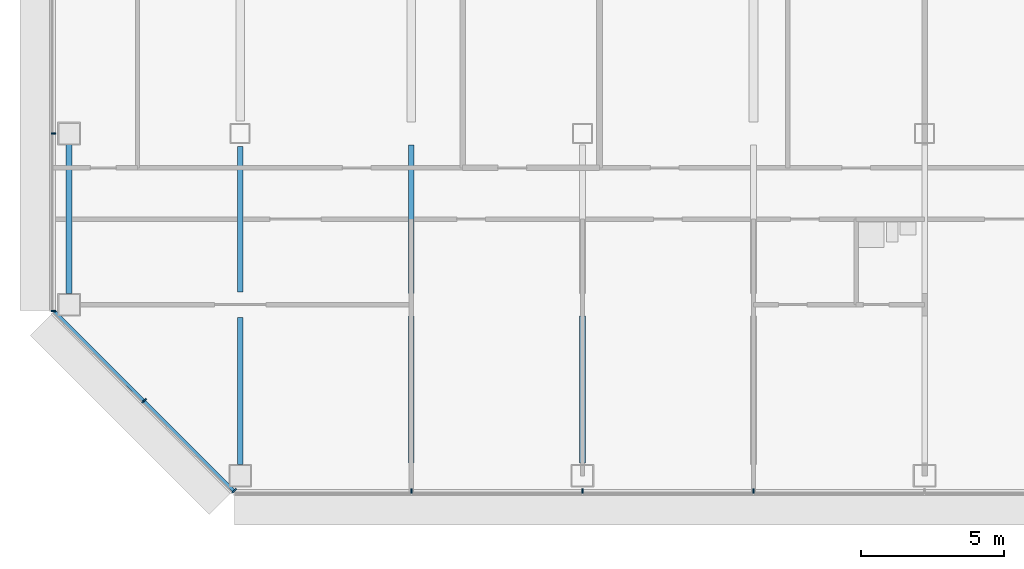
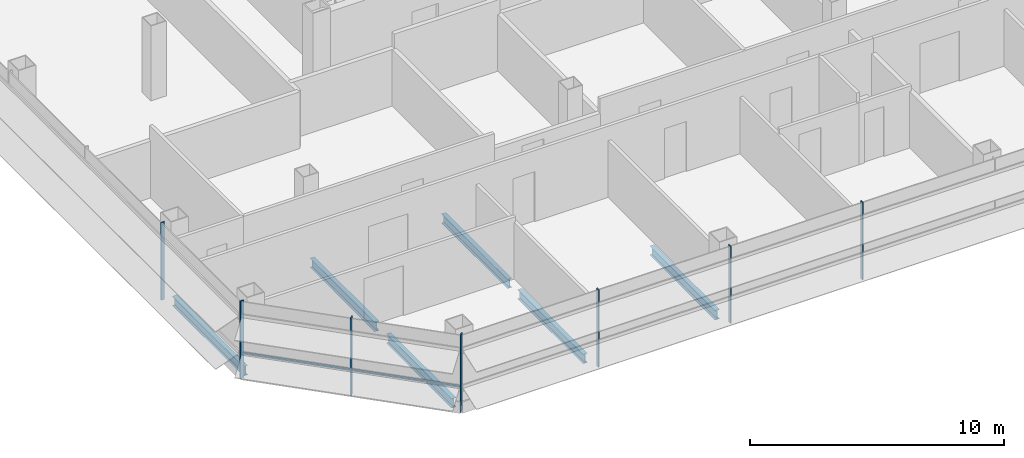
# One storey, part 2 of 28: 8 members, 6 beams, 3 elements without a shape of their own.
"""IFC4 building model written with IfcOpenShell, lengths in metres."""

from ifc_helpers import new_model, si_unit, direction, frame, origin, origin_2d, place, context, subcontext, project, spatial, rectangle, i_section, extrude, material, material_profile, profile_set, type_object, element, aggregate, save


model = new_model("IFC4")

# Units and contexts
model_context = context("Model", 3, precision=1e-05, world=origin(), true_north=direction((0.0, 1.0)))
body_context = subcontext(model_context, "Body", "Model", "MODEL_VIEW")
ifc_project = project(units=[si_unit("LENGTHUNIT", "METRE"), si_unit("AREAUNIT", "SQUARE_METRE"), si_unit("VOLUMEUNIT", "CUBIC_METRE"), si_unit("PLANEANGLEUNIT", "RADIAN"), si_unit("MASSUNIT", "GRAM", prefix="KILO")], contexts=[model_context])

# Site, building, storey
site_placement = place(None, origin())
site = spatial("IfcSite", under=ifc_project, at=site_placement, CompositionType="ELEMENT")
building_placement = place(site_placement, origin())
building = spatial("IfcBuilding", under=site, at=building_placement, Name="Sorahane Residences", CompositionType="ELEMENT")
storey_placement = place(building_placement, frame((0.0, 0.0, 96.199951171875)))
storey = spatial("IfcBuildingStorey", under=building, at=storey_placement, Name="L20", CompositionType="ELEMENT", Elevation=96.199951171875)

# Curtain wall, members
ifc_material_1 = material(Name="Dark low-e glass and black anodised aluminium", Category="aluminium")
curtain_wall_type_1 = type_object("IfcCurtainWallType", Name="Curtain wall CW-1 Typical unitised wall", PredefinedType="NOTDEFINED", material=ifc_material_1)
curtain_wall_1_placement = place(storey_placement, origin())
curtain_wall_1 = element("IfcCurtainWall", 1, at=curtain_wall_1_placement, inside=storey, type_object=curtain_wall_type_1, Name="CW-1 curtain wall L20 S1", PredefinedType="NOTDEFINED")
ifc_material_2 = material(Name="Black anodised aluminium", Category="aluminium")
ifc_material_profile_1 = material_profile(ifc_material_2, rectangle(XDim=0.159912109375, YDim=0.050048828125, at=origin_2d()), Name="Curtain wall mullion CW-1 black anodised aluminium 50x160")
ifc_profile_set_1 = profile_set([ifc_material_profile_1], Name="Black anodised aluminium")
member_type_1 = type_object("IfcMemberType", Name="Curtain wall mullion CW-1 black anodised aluminium 50x160", PredefinedType="MULLION", material=ifc_profile_set_1)
member_1_placement = place(storey_placement, frame((6.0, -0.5400390625, -0.300048828125), z_axis=(0.0, 0.0, 1.0), x_axis=(0.0, -1.0, 0.0)))
member_1 = element("IfcMember", 2, at=member_1_placement, type_object=member_type_1, Name="CW-1 mullion L20 S1.2", PredefinedType="MULLION", context=body_context, shape_type="SweptSolid", body=[
    extrude(rectangle(XDim=0.159912109375, YDim=0.050048828125, at=origin_2d()), origin(), (0.0, 0.0, 1.0), 3.72021484375),
])
member_2_placement = place(storey_placement, frame((12.0, -0.5400390625, -0.300048828125), z_axis=(0.0, 0.0, 1.0), x_axis=(0.0, -1.0, 0.0)))
member_2 = element("IfcMember", 3, at=member_2_placement, type_object=member_type_1, Name="CW-1 mullion L20 S1.3", PredefinedType="MULLION", context=body_context, shape_type="SweptSolid", body=[
    extrude(rectangle(XDim=0.159912109375, YDim=0.050048828125, at=origin_2d()), origin(), (0.0, 0.0, 1.0), 3.72021484375),
])
member_3_placement = place(storey_placement, frame((18.0, -0.5400390625, -0.300048828125), z_axis=(0.0, 0.0, 1.0), x_axis=(0.0, -1.0, 0.0)))
member_3 = element("IfcMember", 4, at=member_3_placement, type_object=member_type_1, Name="CW-1 mullion L20 S1.4", PredefinedType="MULLION", context=body_context, shape_type="SweptSolid", body=[
    extrude(rectangle(XDim=0.159912109375, YDim=0.050048828125, at=origin_2d()), origin(), (0.0, 0.0, 1.0), 3.72021484375),
])
aggregate(curtain_wall_1, [member_1, member_2, member_3])

curtain_wall_2_placement = place(storey_placement, origin())
curtain_wall_2 = element("IfcCurtainWall", 5, at=curtain_wall_2_placement, inside=storey, type_object=curtain_wall_type_1, Name="CW-1 curtain wall L20 W1", PredefinedType="NOTDEFINED")
member_4_placement = place(storey_placement, frame((-6.5400390625, 12.0, -0.300048828125), z_axis=(0.0, 0.0, 1.0), x_axis=(-1.0, 0.0, 0.0)))
member_4 = element("IfcMember", 6, at=member_4_placement, type_object=member_type_1, Name="CW-1 mullion L20 W1.6", PredefinedType="MULLION", context=body_context, shape_type="SweptSolid", body=[
    extrude(rectangle(XDim=0.159912109375, YDim=0.050048828125, at=origin_2d()), origin(), (0.0, 0.0, 1.0), 3.72021484375),
])
member_5_placement = place(storey_placement, frame((-6.5400390625, 5.7763671875, -0.300048828125), z_axis=(0.0, 0.0, 1.0), x_axis=(-1.0, 0.0, 0.0)))
member_5 = element("IfcMember", 7, at=member_5_placement, type_object=member_type_1, Name="CW-1 mullion L20 W1.7", PredefinedType="MULLION", context=body_context, shape_type="SweptSolid", body=[
    extrude(rectangle(XDim=0.159912109375, YDim=0.050048828125, at=origin_2d()), origin(), (0.0, 0.0, 1.0), 3.72021484375),
])
aggregate(curtain_wall_2, [member_4, member_5])

ifc_material_3 = material(Name="Dark low-e glass and black anodised aluminium", Category="aluminium")
curtain_wall_type_2 = type_object("IfcCurtainWallType", Name="Curtain wall CW-2 Chamfer unitised wall", PredefinedType="NOTDEFINED", material=ifc_material_3)
curtain_wall_3_placement = place(storey_placement, origin())
curtain_wall_3 = element("IfcCurtainWall", 8, at=curtain_wall_3_placement, inside=storey, type_object=curtain_wall_type_2, Name="CW-2 curtain wall L20 SW1", PredefinedType="NOTDEFINED")
ifc_material_4 = material(Name="Black anodised aluminium", Category="aluminium")
ifc_material_profile_2 = material_profile(ifc_material_4, rectangle(XDim=0.199951171875, YDim=0.050048828125, at=origin_2d()), Name="Curtain wall mullion CW-2 black anodised aluminium 50x200")
ifc_profile_set_2 = profile_set([ifc_material_profile_2], Name="Black anodised aluminium")
member_type_2 = type_object("IfcMemberType", Name="Curtain wall mullion CW-2 black anodised aluminium 50x200", PredefinedType="MULLION", material=ifc_profile_set_2)
member_6_placement = place(storey_placement, frame((-3.36767578125, 2.63232421875, -0.300048828125), z_axis=(0.0, 0.0, 1.0), x_axis=(-0.707106781187, -0.707106781187, 0.0)))
member_6 = element("IfcMember", 9, at=member_6_placement, type_object=member_type_2, Name="CW-2 mullion L20 SW1.2", PredefinedType="MULLION", context=body_context, shape_type="SweptSolid", body=[
    extrude(rectangle(XDim=0.199951171875, YDim=0.050048828125, at=origin_2d()), origin(), (0.0, 0.0, 1.0), 3.72021484375),
])
member_7_placement = place(storey_placement, frame((-0.209716796875, -0.525634765625, -0.300048828125), z_axis=(0.0, 0.0, 1.0), x_axis=(-0.707106781187, -0.707106781187, 0.0)))
member_7 = element("IfcMember", 10, at=member_7_placement, type_object=member_type_2, Name="CW-2 mullion L20 SW1.3", PredefinedType="MULLION", context=body_context, shape_type="SweptSolid", body=[
    extrude(rectangle(XDim=0.199951171875, YDim=0.050048828125, at=origin_2d()), origin(), (0.0, 0.0, 1.0), 3.72021484375),
])
ifc_material_5 = material(Name="Black anodised aluminium", Category="aluminium")
ifc_material_profile_3 = material_profile(ifc_material_5, rectangle(XDim=0.10009765625, YDim=0.06005859375, at=origin_2d()), Name="Curtain wall transom CW-2 black anodised aluminium 60x100")
ifc_profile_set_3 = profile_set([ifc_material_profile_3], Name="Black anodised aluminium")
member_type_3 = type_object("IfcMemberType", Name="Curtain wall transom CW-2 black anodised aluminium 60x100", PredefinedType="USERDEFINED", material=ifc_profile_set_3)
member_8_placement = place(storey_placement, frame((-6.51513671875, 5.765625, 0.900146484375), z_axis=(0.707106781187, -0.707106781187, 0.0), x_axis=(0.707106781187, 0.707106781187, 0.0)))
member_8 = element("IfcMember", 11, at=member_8_placement, type_object=member_type_3, Name="CW-2 transom L20 SW1", ObjectType="TRANSOM", PredefinedType="USERDEFINED", context=body_context, shape_type="SweptSolid", body=[
    extrude(rectangle(XDim=0.10009765625, YDim=0.06005859375, at=origin_2d()), origin(), (0.0, 0.0, 1.0), 8.88232421875),
])
aggregate(curtain_wall_3, [member_6, member_7, member_8])

# Beams
ifc_material_6 = material(Name="Steel Q355B", Category="steel")
ifc_material_profile_4 = material_profile(ifc_material_6, i_section(OverallWidth=0.199951171875, OverallDepth=0.449951171875, WebThickness=0.009033203125, FlangeThickness=0.013916015625, FilletRadius=0.02001953125, at=origin_2d()), Name="HN 450x200x9x14")
ifc_profile_set_4 = profile_set([ifc_material_profile_4], Name="Steel Q355B")
beam_type = type_object("IfcBeamType", Name="Steel floor beam HN 450x200x9x14 Q355B", PredefinedType="BEAM", material=ifc_profile_set_4)
beam_1_placement = place(storey_placement, frame((-6.0, 6.39990234375, -0.52490234375), z_axis=(0.0, 1.0, 0.0), x_axis=(-1.0, 0.0, 0.0)))
element("IfcBeam", 12, at=beam_1_placement, inside=storey, type_object=beam_type, Name="Beam L20 000", PredefinedType="BEAM", context=body_context, shape_type="SweptSolid", body=[
    extrude(i_section(OverallWidth=0.199951171875, OverallDepth=0.449951171875, WebThickness=0.009033203125, FlangeThickness=0.013916015625, FilletRadius=0.02001953125, at=origin_2d()), origin(), (0.0, 0.0, 1.0), 5.60009765625),
])
beam_2_placement = place(storey_placement, frame((0.0, 0.39990234375, -0.52490234375), z_axis=(0.0, 1.0, 0.0), x_axis=(-1.0, 0.0, 0.0)))
element("IfcBeam", 13, at=beam_2_placement, inside=storey, type_object=beam_type, Name="Beam L20 001", PredefinedType="BEAM", context=body_context, shape_type="SweptSolid", body=[
    extrude(i_section(OverallWidth=0.199951171875, OverallDepth=0.449951171875, WebThickness=0.009033203125, FlangeThickness=0.013916015625, FilletRadius=0.02001953125, at=origin_2d()), origin(), (0.0, 0.0, 1.0), 5.150146484375),
])
beam_3_placement = place(storey_placement, frame((0.0, 6.449951171875, -0.52490234375), z_axis=(0.0, 1.0, 0.0), x_axis=(-1.0, 0.0, 0.0)))
element("IfcBeam", 14, at=beam_3_placement, inside=storey, type_object=beam_type, Name="Beam L20 002", PredefinedType="BEAM", context=body_context, shape_type="SweptSolid", body=[
    extrude(i_section(OverallWidth=0.199951171875, OverallDepth=0.449951171875, WebThickness=0.009033203125, FlangeThickness=0.013916015625, FilletRadius=0.02001953125, at=origin_2d()), origin(), (0.0, 0.0, 1.0), 5.10009765625),
])
beam_4_placement = place(storey_placement, frame((6.0, 0.449951171875, -0.52490234375), z_axis=(0.0, 1.0, 0.0), x_axis=(-1.0, 0.0, 0.0)))
element("IfcBeam", 15, at=beam_4_placement, inside=storey, type_object=beam_type, Name="Beam L20 007", PredefinedType="BEAM", context=body_context, shape_type="SweptSolid", body=[
    extrude(i_section(OverallWidth=0.199951171875, OverallDepth=0.449951171875, WebThickness=0.009033203125, FlangeThickness=0.013916015625, FilletRadius=0.02001953125, at=origin_2d()), origin(), (0.0, 0.0, 1.0), 5.150146484375),
])
beam_5_placement = place(storey_placement, frame((6.0, 6.39990234375, -0.52490234375), z_axis=(0.0, 1.0, 0.0), x_axis=(-1.0, 0.0, 0.0)))
element("IfcBeam", 16, at=beam_5_placement, inside=storey, type_object=beam_type, Name="Beam L20 008", PredefinedType="BEAM", context=body_context, shape_type="SweptSolid", body=[
    extrude(i_section(OverallWidth=0.199951171875, OverallDepth=0.449951171875, WebThickness=0.009033203125, FlangeThickness=0.013916015625, FilletRadius=0.02001953125, at=origin_2d()), origin(), (0.0, 0.0, 1.0), 5.2001953125),
])
beam_6_placement = place(storey_placement, frame((12.0, 0.449951171875, -0.52490234375), z_axis=(0.0, 1.0, 0.0), x_axis=(-1.0, 0.0, 0.0)))
element("IfcBeam", 17, at=beam_6_placement, inside=storey, type_object=beam_type, Name="Beam L20 014", PredefinedType="BEAM", context=body_context, shape_type="SweptSolid", body=[
    extrude(i_section(OverallWidth=0.199951171875, OverallDepth=0.449951171875, WebThickness=0.009033203125, FlangeThickness=0.013916015625, FilletRadius=0.02001953125, at=origin_2d()), origin(), (0.0, 0.0, 1.0), 5.150146484375),
])

save(model, "model.ifc")
